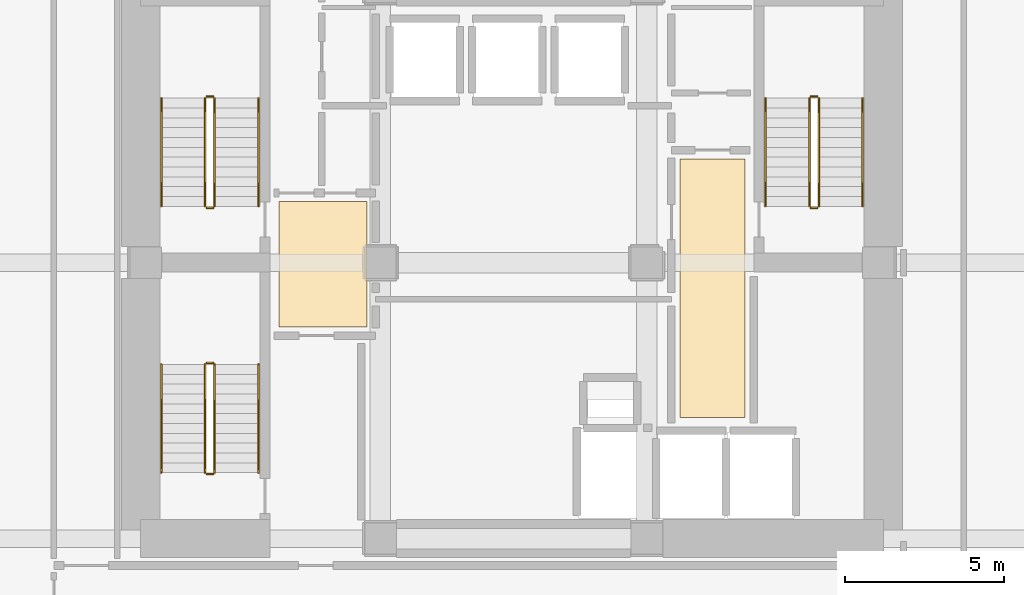
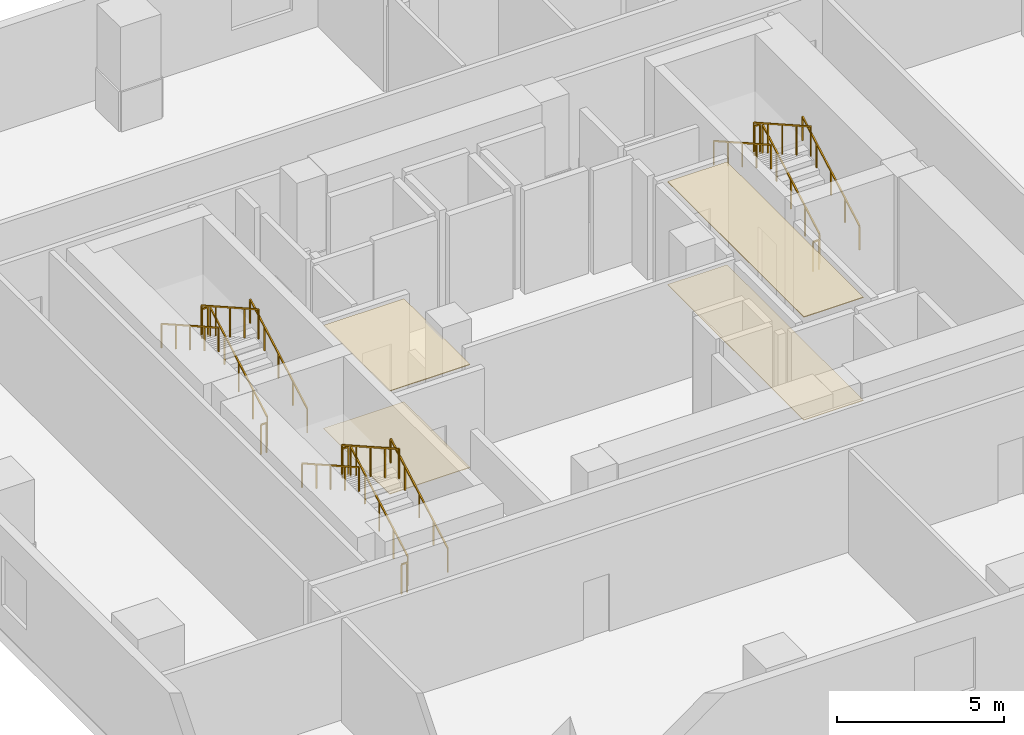
# One storey, part 24 of 25: 18 railings, 4 coverings.
"""IFC4 building model written with IfcOpenShell, lengths in metres."""

from ifc_helpers import new_model, si_unit, direction, frame, origin, origin_2d, place, context, subcontext, project, spatial, polyline, rectangle, outline, extrude, material, layer, layer_set, type_object, element, save


model = new_model("IFC4")

# Units and contexts
model_context = context("Model", 3, precision=1e-05, world=origin(), true_north=direction((0.0, 1.0)))
body_context = subcontext(model_context, "Body", "Model", "MODEL_VIEW")
ifc_project = project(units=[si_unit("LENGTHUNIT", "METRE"), si_unit("AREAUNIT", "SQUARE_METRE"), si_unit("VOLUMEUNIT", "CUBIC_METRE"), si_unit("PLANEANGLEUNIT", "RADIAN"), si_unit("MASSUNIT", "GRAM", prefix="KILO")], contexts=[model_context])

# Site, building, storey
site_placement = place(None, origin())
site = spatial("IfcSite", under=ifc_project, at=site_placement, CompositionType="ELEMENT")
building_placement = place(site_placement, origin())
building = spatial("IfcBuilding", under=site, at=building_placement, Name="Solanera Arch Residences", CompositionType="ELEMENT")
storey_placement = place(building_placement, frame((0.0, 0.0, 17.800048828125)))
storey = spatial("IfcBuildingStorey", under=building, at=storey_placement, Name="L04", CompositionType="ELEMENT", Elevation=17.800048828125)

# Coverings
ifc_material_1 = material(Name="Porcelain Acoustic Floor Tile", Category="ceramic")
ifc_layer_1 = layer(ifc_material_1, 0.02001953125)
ifc_layer_set_1 = layer_set([ifc_layer_1], Name="Porcelain Acoustic Floor Tile")
covering_type_1 = type_object("IfcCoveringType", Name="Porcelain Acoustic Floor Finish FLR-20", PredefinedType="FLOORING", material=ifc_layer_set_1)
covering_1_placement = place(storey_placement, origin())
element("IfcCovering", 1, at=covering_1_placement, inside=storey, type_object=covering_type_1, Name="L04-FFL-W Porcelain Floor Finish", PredefinedType="FLOORING", context=body_context, shape_type="SweptSolid", body=[
    extrude(outline(polyline([(20.375, 28.675048828125), (17.594970703125, 28.675048828125), (17.594970703125, 32.625), (20.375, 32.625), (20.375, 28.675048828125)])), origin(), (0.0, 0.0, 1.0), 0.02001953125),
])
covering_2_placement = place(storey_placement, origin())
element("IfcCovering", 2, at=covering_2_placement, inside=storey, type_object=covering_type_1, Name="L04-FFL-E Porcelain Floor Finish", PredefinedType="FLOORING", context=body_context, shape_type="SweptSolid", body=[
    extrude(outline(polyline([(32.304931640625, 25.824951171875), (30.25, 25.824951171875), (30.25, 33.97509765625), (32.304931640625, 33.97509765625), (32.304931640625, 25.824951171875)])), origin(), (0.0, 0.0, 1.0), 0.02001953125),
])

# Railings
ifc_material_2 = material(Name="Steel S355 (ASTM A992 / A572 Grade 50)", Category="steel")
railing_type_1 = type_object("IfcRailingType", Name="Stair Guardrail GR-1100", PredefinedType="GUARDRAIL", material=ifc_material_2)
railing_1_placement = place(storey_placement, frame((15.570068359375, 32.47998046875, 0.159912109375)))
element("IfcRailing", 3, at=railing_1_placement, inside=storey, type_object=railing_type_1, Name="L04 ST-T1 stair guard 1", PredefinedType="GUARDRAIL", context=body_context, shape_type="SweptSolid", body=[
    extrude(rectangle(XDim=0.048095703125, YDim=0.048095703125, at=origin_2d()), frame((0.0, 0.0, 1.076171875), z_axis=(0.0, 0.87081354652, 0.491613432685), x_axis=(-1.0, 0.0, 0.0)), (0.0, 0.0, 1.0), 3.915771484375),
    extrude(rectangle(XDim=0.0419921875, YDim=0.0419921875, at=origin_2d()), origin(), (0.0, 0.0, 1.0), 1.052001953125),
    extrude(rectangle(XDim=0.0419921875, YDim=0.0419921875, at=origin_2d()), frame((0.0, 0.8525390625, 0.481201171875)), (0.0, 0.0, 1.0), 1.052001953125),
    extrude(rectangle(XDim=0.0419921875, YDim=0.0419921875, at=origin_2d()), frame((0.0, 1.705078125, 0.96240234375)), (0.0, 0.0, 1.0), 1.052001953125),
    extrude(rectangle(XDim=0.0419921875, YDim=0.0419921875, at=origin_2d()), frame((0.0, 2.557373046875, 1.44384765625)), (0.0, 0.0, 1.0), 1.052001953125),
    extrude(rectangle(XDim=0.0419921875, YDim=0.0419921875, at=origin_2d()), frame((0.0, 3.409912109375, 1.925048828125)), (0.0, 0.0, 1.0), 1.052001953125),
])
railing_2_placement = place(storey_placement, frame((15.52001953125, 35.93994140625, 2.0849609375)))
element("IfcRailing", 4, at=railing_2_placement, inside=storey, type_object=railing_type_1, Name="L04 ST-T1 stair guard 2", PredefinedType="GUARDRAIL", context=body_context, shape_type="SweptSolid", body=[
    extrude(rectangle(XDim=0.048095703125, YDim=0.048095703125, at=origin_2d()), frame((0.0, 0.0, 1.076171875), z_axis=(-1.0, 0.0, 0.0), x_axis=(0.0, -1.0, 0.0)), (0.0, 0.0, 1.0), 0.199951171875),
    extrude(rectangle(XDim=0.0419921875, YDim=0.0419921875, at=origin_2d()), origin(), (0.0, 0.0, 1.0), 1.052001953125),
    extrude(rectangle(XDim=0.0419921875, YDim=0.0419921875, at=origin_2d()), frame((-0.199951171875, 0.0, 0.0)), (0.0, 0.0, 1.0), 1.052001953125),
])
railing_3_placement = place(storey_placement, frame((15.27001953125, 35.889892578125, 2.260009765625)))
element("IfcRailing", 5, at=railing_3_placement, inside=storey, type_object=railing_type_1, Name="L04 ST-T1 stair guard 3", PredefinedType="GUARDRAIL", context=body_context, shape_type="SweptSolid", body=[
    extrude(rectangle(XDim=0.048095703125, YDim=0.048095703125, at=origin_2d()), frame((0.0, 0.0, 1.076171875), z_axis=(0.0, -0.87081354652, 0.491613432685), x_axis=(1.0, 0.0, 0.0)), (0.0, 0.0, 1.0), 3.915771484375),
    extrude(rectangle(XDim=0.0419921875, YDim=0.0419921875, at=origin_2d()), origin(), (0.0, 0.0, 1.0), 1.052001953125),
    extrude(rectangle(XDim=0.0419921875, YDim=0.0419921875, at=origin_2d()), frame((0.0, -0.8525390625, 0.481201171875)), (0.0, 0.0, 1.0), 1.052001953125),
    extrude(rectangle(XDim=0.0419921875, YDim=0.0419921875, at=origin_2d()), frame((0.0, -1.705078125, 0.96240234375)), (0.0, 0.0, 1.0), 1.052001953125),
    extrude(rectangle(XDim=0.0419921875, YDim=0.0419921875, at=origin_2d()), frame((0.0, -2.557373046875, 1.44384765625)), (0.0, 0.0, 1.0), 1.052001953125),
    extrude(rectangle(XDim=0.0419921875, YDim=0.0419921875, at=origin_2d()), frame((0.0, -3.409912109375, 1.925048828125)), (0.0, 0.0, 1.0), 1.052001953125),
])
railing_4_placement = place(storey_placement, frame((15.52001953125, 32.429931640625, -0.01513671875)))
element("IfcRailing", 6, at=railing_4_placement, inside=storey, type_object=railing_type_1, Name="L04 ST-T1 stair guard 4", PredefinedType="GUARDRAIL", context=body_context, shape_type="SweptSolid", body=[
    extrude(rectangle(XDim=0.048095703125, YDim=0.048095703125, at=origin_2d()), frame((0.0, 0.0, 1.076171875), z_axis=(-1.0, 0.0, 0.0), x_axis=(0.0, -1.0, 0.0)), (0.0, 0.0, 1.0), 0.199951171875),
    extrude(rectangle(XDim=0.0419921875, YDim=0.0419921875, at=origin_2d()), origin(), (0.0, 0.0, 1.0), 1.052001953125),
    extrude(rectangle(XDim=0.0419921875, YDim=0.0419921875, at=origin_2d()), frame((-0.199951171875, 0.0, 0.0)), (0.0, 0.0, 1.0), 1.052001953125),
])
railing_5_placement = place(storey_placement, frame((34.6298828125, 32.47998046875, 0.159912109375)))
element("IfcRailing", 7, at=railing_5_placement, inside=storey, type_object=railing_type_1, Name="L04 ST-T2 stair guard 1", PredefinedType="GUARDRAIL", context=body_context, shape_type="SweptSolid", body=[
    extrude(rectangle(XDim=0.048095703125, YDim=0.048095703125, at=origin_2d()), frame((0.0, 0.0, 1.076171875), z_axis=(0.0, 0.87081354652, 0.491613432685), x_axis=(-1.0, 0.0, 0.0)), (0.0, 0.0, 1.0), 3.915771484375),
    extrude(rectangle(XDim=0.0419921875, YDim=0.0419921875, at=origin_2d()), origin(), (0.0, 0.0, 1.0), 1.052001953125),
    extrude(rectangle(XDim=0.0419921875, YDim=0.0419921875, at=origin_2d()), frame((0.0, 0.8525390625, 0.481201171875)), (0.0, 0.0, 1.0), 1.052001953125),
    extrude(rectangle(XDim=0.0419921875, YDim=0.0419921875, at=origin_2d()), frame((0.0, 1.705078125, 0.96240234375)), (0.0, 0.0, 1.0), 1.052001953125),
    extrude(rectangle(XDim=0.0419921875, YDim=0.0419921875, at=origin_2d()), frame((0.0, 2.557373046875, 1.44384765625)), (0.0, 0.0, 1.0), 1.052001953125),
    extrude(rectangle(XDim=0.0419921875, YDim=0.0419921875, at=origin_2d()), frame((0.0, 3.409912109375, 1.925048828125)), (0.0, 0.0, 1.0), 1.052001953125),
])
railing_6_placement = place(storey_placement, frame((34.580078125, 35.93994140625, 2.0849609375)))
element("IfcRailing", 8, at=railing_6_placement, inside=storey, type_object=railing_type_1, Name="L04 ST-T2 stair guard 2", PredefinedType="GUARDRAIL", context=body_context, shape_type="SweptSolid", body=[
    extrude(rectangle(XDim=0.048095703125, YDim=0.048095703125, at=origin_2d()), frame((0.0, 0.0, 1.076171875), z_axis=(-1.0, 0.0, 0.0), x_axis=(0.0, -1.0, 0.0)), (0.0, 0.0, 1.0), 0.2001953125),
    extrude(rectangle(XDim=0.0419921875, YDim=0.0419921875, at=origin_2d()), origin(), (0.0, 0.0, 1.0), 1.052001953125),
    extrude(rectangle(XDim=0.0419921875, YDim=0.0419921875, at=origin_2d()), frame((-0.2001953125, 0.0, 0.0)), (0.0, 0.0, 1.0), 1.052001953125),
])
railing_7_placement = place(storey_placement, frame((34.330078125, 35.889892578125, 2.260009765625)))
element("IfcRailing", 9, at=railing_7_placement, inside=storey, type_object=railing_type_1, Name="L04 ST-T2 stair guard 3", PredefinedType="GUARDRAIL", context=body_context, shape_type="SweptSolid", body=[
    extrude(rectangle(XDim=0.048095703125, YDim=0.048095703125, at=origin_2d()), frame((0.0, 0.0, 1.076171875), z_axis=(0.0, -0.87081354652, 0.491613432685), x_axis=(1.0, 0.0, 0.0)), (0.0, 0.0, 1.0), 3.915771484375),
    extrude(rectangle(XDim=0.0419921875, YDim=0.0419921875, at=origin_2d()), origin(), (0.0, 0.0, 1.0), 1.052001953125),
    extrude(rectangle(XDim=0.0419921875, YDim=0.0419921875, at=origin_2d()), frame((0.0, -0.8525390625, 0.481201171875)), (0.0, 0.0, 1.0), 1.052001953125),
    extrude(rectangle(XDim=0.0419921875, YDim=0.0419921875, at=origin_2d()), frame((0.0, -1.705078125, 0.96240234375)), (0.0, 0.0, 1.0), 1.052001953125),
    extrude(rectangle(XDim=0.0419921875, YDim=0.0419921875, at=origin_2d()), frame((0.0, -2.557373046875, 1.44384765625)), (0.0, 0.0, 1.0), 1.052001953125),
    extrude(rectangle(XDim=0.0419921875, YDim=0.0419921875, at=origin_2d()), frame((0.0, -3.409912109375, 1.925048828125)), (0.0, 0.0, 1.0), 1.052001953125),
])
railing_8_placement = place(storey_placement, frame((34.580078125, 32.429931640625, -0.01513671875)))
element("IfcRailing", 10, at=railing_8_placement, inside=storey, type_object=railing_type_1, Name="L04 ST-T2 stair guard 4", PredefinedType="GUARDRAIL", context=body_context, shape_type="SweptSolid", body=[
    extrude(rectangle(XDim=0.048095703125, YDim=0.048095703125, at=origin_2d()), frame((0.0, 0.0, 1.076171875), z_axis=(-1.0, 0.0, 0.0), x_axis=(0.0, -1.0, 0.0)), (0.0, 0.0, 1.0), 0.2001953125),
    extrude(rectangle(XDim=0.0419921875, YDim=0.0419921875, at=origin_2d()), origin(), (0.0, 0.0, 1.0), 1.052001953125),
    extrude(rectangle(XDim=0.0419921875, YDim=0.0419921875, at=origin_2d()), frame((-0.2001953125, 0.0, 0.0)), (0.0, 0.0, 1.0), 1.052001953125),
])
railing_9_placement = place(storey_placement, frame((15.570068359375, 24.080078125, 0.159912109375)))
element("IfcRailing", 11, at=railing_9_placement, inside=storey, type_object=railing_type_1, Name="L04 ST-T3 stair guard 1", PredefinedType="GUARDRAIL", context=body_context, shape_type="SweptSolid", body=[
    extrude(rectangle(XDim=0.048095703125, YDim=0.048095703125, at=origin_2d()), frame((0.0, 0.0, 1.076171875), z_axis=(0.0, 0.87081354652, 0.491613432685), x_axis=(-1.0, 0.0, 0.0)), (0.0, 0.0, 1.0), 3.915771484375),
    extrude(rectangle(XDim=0.0419921875, YDim=0.0419921875, at=origin_2d()), origin(), (0.0, 0.0, 1.0), 1.052001953125),
    extrude(rectangle(XDim=0.0419921875, YDim=0.0419921875, at=origin_2d()), frame((0.0, 0.8525390625, 0.481201171875)), (0.0, 0.0, 1.0), 1.052001953125),
    extrude(rectangle(XDim=0.0419921875, YDim=0.0419921875, at=origin_2d()), frame((0.0, 1.705078125, 0.96240234375)), (0.0, 0.0, 1.0), 1.052001953125),
    extrude(rectangle(XDim=0.0419921875, YDim=0.0419921875, at=origin_2d()), frame((0.0, 2.557373046875, 1.44384765625)), (0.0, 0.0, 1.0), 1.052001953125),
    extrude(rectangle(XDim=0.0419921875, YDim=0.0419921875, at=origin_2d()), frame((0.0, 3.409912109375, 1.925048828125)), (0.0, 0.0, 1.0), 1.052001953125),
])
railing_10_placement = place(storey_placement, frame((15.52001953125, 27.5400390625, 2.0849609375)))
element("IfcRailing", 12, at=railing_10_placement, inside=storey, type_object=railing_type_1, Name="L04 ST-T3 stair guard 2", PredefinedType="GUARDRAIL", context=body_context, shape_type="SweptSolid", body=[
    extrude(rectangle(XDim=0.048095703125, YDim=0.048095703125, at=origin_2d()), frame((0.0, 0.0, 1.076171875), z_axis=(-1.0, 0.0, 0.0), x_axis=(0.0, -1.0, 0.0)), (0.0, 0.0, 1.0), 0.199951171875),
    extrude(rectangle(XDim=0.0419921875, YDim=0.0419921875, at=origin_2d()), origin(), (0.0, 0.0, 1.0), 1.052001953125),
    extrude(rectangle(XDim=0.0419921875, YDim=0.0419921875, at=origin_2d()), frame((-0.199951171875, 0.0, 0.0)), (0.0, 0.0, 1.0), 1.052001953125),
])
railing_11_placement = place(storey_placement, frame((15.27001953125, 27.489990234375, 2.260009765625)))
element("IfcRailing", 13, at=railing_11_placement, inside=storey, type_object=railing_type_1, Name="L04 ST-T3 stair guard 3", PredefinedType="GUARDRAIL", context=body_context, shape_type="SweptSolid", body=[
    extrude(rectangle(XDim=0.048095703125, YDim=0.048095703125, at=origin_2d()), frame((0.0, 0.0, 1.076171875), z_axis=(0.0, -0.87081354652, 0.491613432685), x_axis=(1.0, 0.0, 0.0)), (0.0, 0.0, 1.0), 3.915771484375),
    extrude(rectangle(XDim=0.0419921875, YDim=0.0419921875, at=origin_2d()), origin(), (0.0, 0.0, 1.0), 1.052001953125),
    extrude(rectangle(XDim=0.0419921875, YDim=0.0419921875, at=origin_2d()), frame((0.0, -0.8525390625, 0.481201171875)), (0.0, 0.0, 1.0), 1.052001953125),
    extrude(rectangle(XDim=0.0419921875, YDim=0.0419921875, at=origin_2d()), frame((0.0, -1.705078125, 0.96240234375)), (0.0, 0.0, 1.0), 1.052001953125),
    extrude(rectangle(XDim=0.0419921875, YDim=0.0419921875, at=origin_2d()), frame((0.0, -2.557373046875, 1.44384765625)), (0.0, 0.0, 1.0), 1.052001953125),
    extrude(rectangle(XDim=0.0419921875, YDim=0.0419921875, at=origin_2d()), frame((0.0, -3.409912109375, 1.925048828125)), (0.0, 0.0, 1.0), 1.052001953125),
])
railing_12_placement = place(storey_placement, frame((15.52001953125, 24.030029296875, -0.01513671875)))
element("IfcRailing", 14, at=railing_12_placement, inside=storey, type_object=railing_type_1, Name="L04 ST-T3 stair guard 4", PredefinedType="GUARDRAIL", context=body_context, shape_type="SweptSolid", body=[
    extrude(rectangle(XDim=0.048095703125, YDim=0.048095703125, at=origin_2d()), frame((0.0, 0.0, 1.076171875), z_axis=(-1.0, 0.0, 0.0), x_axis=(0.0, -1.0, 0.0)), (0.0, 0.0, 1.0), 0.199951171875),
    extrude(rectangle(XDim=0.0419921875, YDim=0.0419921875, at=origin_2d()), origin(), (0.0, 0.0, 1.0), 1.052001953125),
    extrude(rectangle(XDim=0.0419921875, YDim=0.0419921875, at=origin_2d()), frame((-0.199951171875, 0.0, 0.0)), (0.0, 0.0, 1.0), 1.052001953125),
])
ifc_material_3 = material(Name="Steel S355 (ASTM A992 / A572 Grade 50)", Category="steel")
railing_type_2 = type_object("IfcRailingType", Name="Stair Wall Handrail HR-920", PredefinedType="HANDRAIL", material=ifc_material_3)
railing_13_placement = place(storey_placement, frame((16.949951171875, 32.47998046875, 0.175048828125)))
element("IfcRailing", 15, at=railing_13_placement, inside=storey, type_object=railing_type_2, Name="L04 ST-T1 stair handrail 1", PredefinedType="HANDRAIL", context=body_context, shape_type="SweptSolid", body=[
    extrude(rectangle(XDim=0.048095703125, YDim=0.048095703125, at=origin_2d()), frame((0.0, 0.0, 0.8759765625), z_axis=(0.0, 0.870840237431, 0.491566151064), x_axis=(-1.0, 0.0, 0.0)), (0.0, 0.0, 1.0), 3.915771484375),
    extrude(rectangle(XDim=0.0419921875, YDim=0.0419921875, at=origin_2d()), origin(), (0.0, 0.0, 1.0), 0.851806640625),
    extrude(rectangle(XDim=0.0419921875, YDim=0.0419921875, at=origin_2d()), frame((0.0, 0.8525390625, 0.481201171875)), (0.0, 0.0, 1.0), 0.851806640625),
    extrude(rectangle(XDim=0.0419921875, YDim=0.0419921875, at=origin_2d()), frame((0.0, 1.705078125, 0.96240234375)), (0.0, 0.0, 1.0), 0.851806640625),
    extrude(rectangle(XDim=0.0419921875, YDim=0.0419921875, at=origin_2d()), frame((0.0, 2.557373046875, 1.443603515625)), (0.0, 0.0, 1.0), 0.851806640625),
    extrude(rectangle(XDim=0.0419921875, YDim=0.0419921875, at=origin_2d()), frame((0.0, 3.409912109375, 1.9248046875)), (0.0, 0.0, 1.0), 0.851806640625),
])
railing_14_placement = place(storey_placement, frame((13.889892578125, 35.889892578125, 2.27490234375)))
element("IfcRailing", 16, at=railing_14_placement, inside=storey, type_object=railing_type_2, Name="L04 ST-T1 stair handrail 2", PredefinedType="HANDRAIL", context=body_context, shape_type="SweptSolid", body=[
    extrude(rectangle(XDim=0.048095703125, YDim=0.048095703125, at=origin_2d()), frame((0.0, 0.0, 0.8759765625), z_axis=(0.0, -0.87081354652, 0.491613432685), x_axis=(1.0, 0.0, 0.0)), (0.0, 0.0, 1.0), 3.915771484375),
    extrude(rectangle(XDim=0.0419921875, YDim=0.0419921875, at=origin_2d()), origin(), (0.0, 0.0, 1.0), 0.851806640625),
    extrude(rectangle(XDim=0.0419921875, YDim=0.0419921875, at=origin_2d()), frame((0.0, -0.8525390625, 0.481201171875)), (0.0, 0.0, 1.0), 0.851806640625),
    extrude(rectangle(XDim=0.0419921875, YDim=0.0419921875, at=origin_2d()), frame((0.0, -1.705078125, 0.96240234375)), (0.0, 0.0, 1.0), 0.851806640625),
    extrude(rectangle(XDim=0.0419921875, YDim=0.0419921875, at=origin_2d()), frame((0.0, -2.557373046875, 1.44384765625)), (0.0, 0.0, 1.0), 0.851806640625),
    extrude(rectangle(XDim=0.0419921875, YDim=0.0419921875, at=origin_2d()), frame((0.0, -3.409912109375, 1.925048828125)), (0.0, 0.0, 1.0), 0.851806640625),
])
railing_15_placement = place(storey_placement, frame((36.010009765625, 32.47998046875, 0.175048828125)))
element("IfcRailing", 17, at=railing_15_placement, inside=storey, type_object=railing_type_2, Name="L04 ST-T2 stair handrail 1", PredefinedType="HANDRAIL", context=body_context, shape_type="SweptSolid", body=[
    extrude(rectangle(XDim=0.048095703125, YDim=0.048095703125, at=origin_2d()), frame((0.0, 0.0, 0.8759765625), z_axis=(0.0, 0.870840237431, 0.491566151064), x_axis=(-1.0, 0.0, 0.0)), (0.0, 0.0, 1.0), 3.915771484375),
    extrude(rectangle(XDim=0.0419921875, YDim=0.0419921875, at=origin_2d()), origin(), (0.0, 0.0, 1.0), 0.851806640625),
    extrude(rectangle(XDim=0.0419921875, YDim=0.0419921875, at=origin_2d()), frame((0.0, 0.8525390625, 0.481201171875)), (0.0, 0.0, 1.0), 0.851806640625),
    extrude(rectangle(XDim=0.0419921875, YDim=0.0419921875, at=origin_2d()), frame((0.0, 1.705078125, 0.96240234375)), (0.0, 0.0, 1.0), 0.851806640625),
    extrude(rectangle(XDim=0.0419921875, YDim=0.0419921875, at=origin_2d()), frame((0.0, 2.557373046875, 1.443603515625)), (0.0, 0.0, 1.0), 0.851806640625),
    extrude(rectangle(XDim=0.0419921875, YDim=0.0419921875, at=origin_2d()), frame((0.0, 3.409912109375, 1.9248046875)), (0.0, 0.0, 1.0), 0.851806640625),
])
railing_16_placement = place(storey_placement, frame((32.949951171875, 35.889892578125, 2.27490234375)))
element("IfcRailing", 18, at=railing_16_placement, inside=storey, type_object=railing_type_2, Name="L04 ST-T2 stair handrail 2", PredefinedType="HANDRAIL", context=body_context, shape_type="SweptSolid", body=[
    extrude(rectangle(XDim=0.048095703125, YDim=0.048095703125, at=origin_2d()), frame((0.0, 0.0, 0.8759765625), z_axis=(0.0, -0.87081354652, 0.491613432685), x_axis=(1.0, 0.0, 0.0)), (0.0, 0.0, 1.0), 3.915771484375),
    extrude(rectangle(XDim=0.0419921875, YDim=0.0419921875, at=origin_2d()), origin(), (0.0, 0.0, 1.0), 0.851806640625),
    extrude(rectangle(XDim=0.0419921875, YDim=0.0419921875, at=origin_2d()), frame((0.0, -0.8525390625, 0.481201171875)), (0.0, 0.0, 1.0), 0.851806640625),
    extrude(rectangle(XDim=0.0419921875, YDim=0.0419921875, at=origin_2d()), frame((0.0, -1.705078125, 0.96240234375)), (0.0, 0.0, 1.0), 0.851806640625),
    extrude(rectangle(XDim=0.0419921875, YDim=0.0419921875, at=origin_2d()), frame((0.0, -2.557373046875, 1.44384765625)), (0.0, 0.0, 1.0), 0.851806640625),
    extrude(rectangle(XDim=0.0419921875, YDim=0.0419921875, at=origin_2d()), frame((0.0, -3.409912109375, 1.925048828125)), (0.0, 0.0, 1.0), 0.851806640625),
])
railing_17_placement = place(storey_placement, frame((16.949951171875, 24.080078125, 0.175048828125)))
element("IfcRailing", 19, at=railing_17_placement, inside=storey, type_object=railing_type_2, Name="L04 ST-T3 stair handrail 1", PredefinedType="HANDRAIL", context=body_context, shape_type="SweptSolid", body=[
    extrude(rectangle(XDim=0.048095703125, YDim=0.048095703125, at=origin_2d()), frame((0.0, 0.0, 0.8759765625), z_axis=(0.0, 0.870840237431, 0.491566151064), x_axis=(-1.0, 0.0, 0.0)), (0.0, 0.0, 1.0), 3.915771484375),
    extrude(rectangle(XDim=0.0419921875, YDim=0.0419921875, at=origin_2d()), origin(), (0.0, 0.0, 1.0), 0.851806640625),
    extrude(rectangle(XDim=0.0419921875, YDim=0.0419921875, at=origin_2d()), frame((0.0, 0.8525390625, 0.481201171875)), (0.0, 0.0, 1.0), 0.851806640625),
    extrude(rectangle(XDim=0.0419921875, YDim=0.0419921875, at=origin_2d()), frame((0.0, 1.705078125, 0.96240234375)), (0.0, 0.0, 1.0), 0.851806640625),
    extrude(rectangle(XDim=0.0419921875, YDim=0.0419921875, at=origin_2d()), frame((0.0, 2.557373046875, 1.443603515625)), (0.0, 0.0, 1.0), 0.851806640625),
    extrude(rectangle(XDim=0.0419921875, YDim=0.0419921875, at=origin_2d()), frame((0.0, 3.409912109375, 1.9248046875)), (0.0, 0.0, 1.0), 0.851806640625),
])
railing_18_placement = place(storey_placement, frame((13.889892578125, 27.489990234375, 2.27490234375)))
element("IfcRailing", 20, at=railing_18_placement, inside=storey, type_object=railing_type_2, Name="L04 ST-T3 stair handrail 2", PredefinedType="HANDRAIL", context=body_context, shape_type="SweptSolid", body=[
    extrude(rectangle(XDim=0.048095703125, YDim=0.048095703125, at=origin_2d()), frame((0.0, 0.0, 0.8759765625), z_axis=(0.0, -0.87081354652, 0.491613432685), x_axis=(1.0, 0.0, 0.0)), (0.0, 0.0, 1.0), 3.915771484375),
    extrude(rectangle(XDim=0.0419921875, YDim=0.0419921875, at=origin_2d()), origin(), (0.0, 0.0, 1.0), 0.851806640625),
    extrude(rectangle(XDim=0.0419921875, YDim=0.0419921875, at=origin_2d()), frame((0.0, -0.8525390625, 0.481201171875)), (0.0, 0.0, 1.0), 0.851806640625),
    extrude(rectangle(XDim=0.0419921875, YDim=0.0419921875, at=origin_2d()), frame((0.0, -1.705078125, 0.96240234375)), (0.0, 0.0, 1.0), 0.851806640625),
    extrude(rectangle(XDim=0.0419921875, YDim=0.0419921875, at=origin_2d()), frame((0.0, -2.557373046875, 1.44384765625)), (0.0, 0.0, 1.0), 0.851806640625),
    extrude(rectangle(XDim=0.0419921875, YDim=0.0419921875, at=origin_2d()), frame((0.0, -3.409912109375, 1.925048828125)), (0.0, 0.0, 1.0), 0.851806640625),
])

# Coverings
ifc_material_4 = material(Name="Mineral Fibre Acoustic Ceiling Board", Category="gypsum")
ifc_layer_2 = layer(ifc_material_4, 0.02490234375)
ifc_layer_set_2 = layer_set([ifc_layer_2], Name="Mineral Fibre Acoustic Ceiling Board")
covering_type_2 = type_object("IfcCoveringType", Name="Suspended Acoustic Ceiling Board CLG-25", PredefinedType="CEILING", material=ifc_layer_set_2)
covering_3_placement = place(storey_placement, frame((0.0, 0.0, 3.7548828125)))
element("IfcCovering", 21, at=covering_3_placement, inside=storey, type_object=covering_type_2, Name="L04-FFL-W Acoustic Ceiling", PredefinedType="CEILING", context=body_context, shape_type="SweptSolid", body=[
    extrude(outline(polyline([(20.375, 28.675048828125), (17.594970703125, 28.675048828125), (17.594970703125, 32.625), (20.375, 32.625), (20.375, 28.675048828125)])), origin(), (0.0, 0.0, 1.0), 0.025146484375),
])
covering_4_placement = place(storey_placement, frame((0.0, 0.0, 3.7548828125)))
element("IfcCovering", 22, at=covering_4_placement, inside=storey, type_object=covering_type_2, Name="L04-FFL-E Acoustic Ceiling", PredefinedType="CEILING", context=body_context, shape_type="SweptSolid", body=[
    extrude(outline(polyline([(32.304931640625, 25.824951171875), (30.25, 25.824951171875), (30.25, 33.97509765625), (32.304931640625, 33.97509765625), (32.304931640625, 25.824951171875)])), origin(), (0.0, 0.0, 1.0), 0.025146484375),
])

save(model, "model.ifc")
